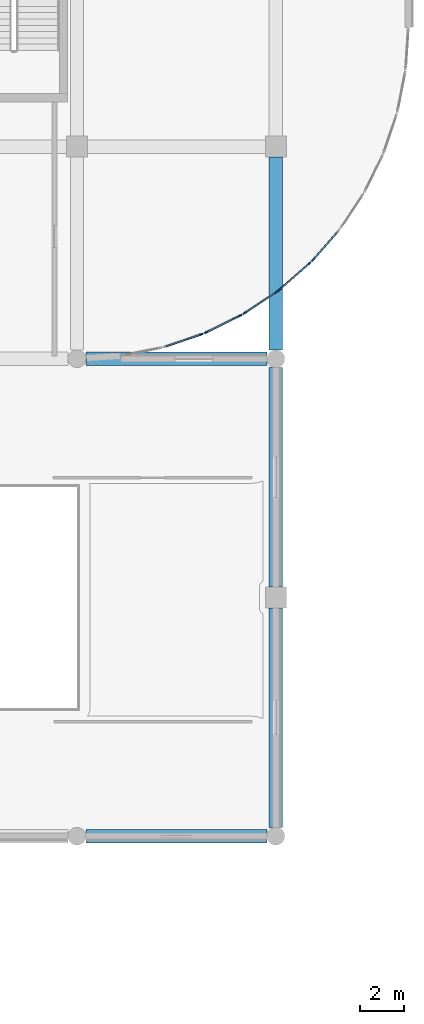
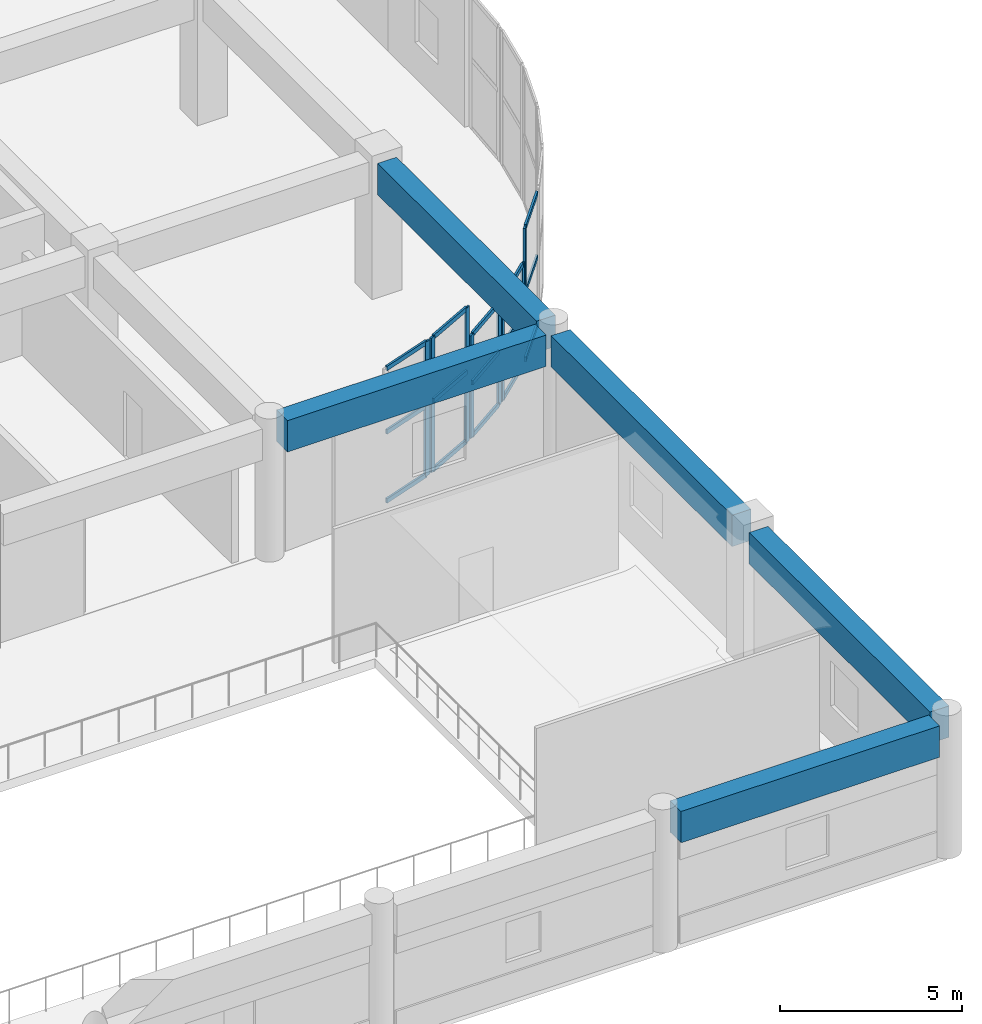
# One storey, part 37 of 86: 23 members, 5 beams, 5 elements without a shape of their own.
"""IFC4 building model written with IfcOpenShell, lengths in metres."""

from ifc_helpers import new_model, si_unit, direction, frame, origin, origin_2d, place, context, subcontext, project, spatial, rectangle, extrude, material, layer, layer_set, material_profile, profile_set, type_object, element, aggregate, save


model = new_model("IFC4")

# Units and contexts
model_context = context("Model", 3, precision=1e-05, world=origin(), true_north=direction((0.0, 1.0)))
body_context = subcontext(model_context, "Body", "Model", "MODEL_VIEW")
ifc_project = project(units=[si_unit("LENGTHUNIT", "METRE"), si_unit("AREAUNIT", "SQUARE_METRE"), si_unit("VOLUMEUNIT", "CUBIC_METRE"), si_unit("PLANEANGLEUNIT", "RADIAN"), si_unit("MASSUNIT", "GRAM", prefix="KILO")], contexts=[model_context])

# Site, building, storey
site_placement = place(None, origin())
site = spatial("IfcSite", under=ifc_project, at=site_placement, CompositionType="ELEMENT")
building_placement = place(site_placement, origin())
building = spatial("IfcBuilding", under=site, at=building_placement, Name="Cendralis Terraced Arcade", CompositionType="ELEMENT")
storey_placement = place(building_placement, frame((0.0, 0.0, 5.39990234375)))
storey = spatial("IfcBuildingStorey", under=building, at=storey_placement, Name="L01", CompositionType="ELEMENT", Elevation=5.39990234375)

# Beams
ifc_material_1 = material(Name="Concrete f'c 35 MPa", Category="concrete")
ifc_material_profile_1 = material_profile(ifc_material_1, rectangle(XDim=0.60009765625, YDim=1.050048828125, at=origin_2d()), Name="RC-BM-600x1050", Category="LoadBearing")
ifc_profile_set_1 = profile_set([ifc_material_profile_1], Name="Concrete f'c 35 MPa")
beam_type = type_object("IfcBeamType", Name="BM-600x1050", PredefinedType="JOIST", material=ifc_profile_set_1)
for number, where, z_axis, x_axis, name in (
    (1, (157.60009765625, 38.39990234375, 3.97998046875), (1.0, 0.0, 0.0), (0.0, 1.0, 0.0), "Reinforced Concrete Frame Beam BM-X-L02-E-18_19"),
    (2, (157.60009765625, 60.0, 3.97998046875), (1.0, 0.0, 0.0), (0.0, 1.0, 0.0), "Reinforced Concrete Frame Beam BM-X-L02-G-18_19"),
):
    element("IfcBeam", number, at=place(storey_placement, frame(where, z_axis=z_axis, x_axis=x_axis)), inside=storey, type_object=beam_type, Name=name, PredefinedType="JOIST", context=body_context, shape_type="SweptSolid", body=[
        extrude(rectangle(XDim=0.60009765625, YDim=1.050048828125, at=origin_2d()), origin(), (0.0, 0.0, 1.0), 8.199951171875),
    ])
for number, where, z_axis, x_axis, name in (
    (3, (166.199951171875, 38.800048828125, 3.97998046875), (0.0, 1.0, 0.0), (-1.0, 0.0, 0.0), "Reinforced Concrete Frame Beam BM-Y-L02-19-E_F"),
    (4, (166.199951171875, 49.675048828125, 3.97998046875), (0.0, 1.0, 0.0), (-1.0, 0.0, 0.0), "Reinforced Concrete Frame Beam BM-Y-L02-19-F_G"),
):
    element("IfcBeam", number, at=place(storey_placement, frame(where, z_axis=z_axis, x_axis=x_axis)), inside=storey, type_object=beam_type, Name=name, PredefinedType="JOIST", context=body_context, shape_type="SweptSolid", body=[
        extrude(rectangle(XDim=0.60009765625, YDim=1.050048828125, at=origin_2d()), origin(), (0.0, 0.0, 1.0), 9.925048828125),
    ])
beam_placement = place(storey_placement, frame((166.199951171875, 60.39990234375, 3.97998046875), z_axis=(0.0, 1.0, 0.0), x_axis=(-1.0, 0.0, 0.0)))
element("IfcBeam", 5, at=beam_placement, inside=storey, type_object=beam_type, Name="Reinforced Concrete Frame Beam BM-Y-L02-19-G_H", PredefinedType="JOIST", context=body_context, shape_type="SweptSolid", body=[
    extrude(rectangle(XDim=0.60009765625, YDim=1.050048828125, at=origin_2d()), origin(), (0.0, 0.0, 1.0), 8.72509765625),
])

# Curtain wall, member
ifc_material_2 = material(Name="Anodised aluminium EN AW-6063 T6", Category="aluminium")
ifc_layer = layer(ifc_material_2, 0.179931640625, Name="CW-UNIT-A")
ifc_layer_set = layer_set([ifc_layer], Name="Anodised aluminium EN AW-6063 T6")
curtain_wall_type = type_object("IfcCurtainWallType", Name="CW-UNIT-A", PredefinedType="USERDEFINED", material=ifc_layer_set)
curtain_wall_1_placement = place(storey_placement, origin())
curtain_wall_1 = element("IfcCurtainWall", 6, at=curtain_wall_1_placement, inside=storey, type_object=curtain_wall_type, Name="Exterior Unitised Facade CW-L01-0071", ObjectType="UNITISED FACADE", PredefinedType="USERDEFINED")
ifc_material_profile_2 = material_profile(ifc_material_2, rectangle(XDim=0.06494140625, YDim=0.179931640625, at=origin_2d()), Name="ALU-MUL-65x180")
ifc_profile_set_2 = profile_set([ifc_material_profile_2], Name="Anodised aluminium EN AW-6063 T6")
member_type_1 = type_object("IfcMemberType", Name="CW-UNIT-A-MUL", PredefinedType="MULLION", material=ifc_profile_set_2)
member_1_placement = place(storey_placement, frame((167.887451171875, 64.485595703125, 0.0), z_axis=(0.0, 0.0, 1.0), x_axis=(0.751804497477, -0.659386076266, 0.0)))
member_1 = element("IfcMember", 7, at=member_1_placement, type_object=member_type_1, Name="CW-U1 mullion 2", PredefinedType="MULLION", context=body_context, shape_type="SweptSolid", body=[
    extrude(rectangle(XDim=0.06494140625, YDim=0.179931640625, at=origin_2d()), origin(), (0.0, 0.0, 1.0), 4.505126953125),
])

# Curtain wall, members
curtain_wall_2_placement = place(storey_placement, origin())
curtain_wall_2 = element("IfcCurtainWall", 8, at=curtain_wall_2_placement, inside=storey, type_object=curtain_wall_type, Name="Exterior Unitised Facade CW-L01-0072", ObjectType="UNITISED FACADE", PredefinedType="USERDEFINED")
member_2_placement = place(storey_placement, frame((167.71435546875, 64.312744140625, 0.0), z_axis=(0.0, 0.0, 1.0), x_axis=(0.659386076266, -0.751804497477, 0.0)))
member_2 = element("IfcMember", 9, at=member_2_placement, type_object=member_type_1, Name="CW-U1 mullion 1", PredefinedType="MULLION", context=body_context, shape_type="SweptSolid", body=[
    extrude(rectangle(XDim=0.06494140625, YDim=0.179931640625, at=origin_2d()), origin(), (0.0, 0.0, 1.0), 3.445068359375),
])
member_3_placement = place(storey_placement, frame((166.423583984375, 63.180419921875, 0.0), z_axis=(0.0, 0.0, 1.0), x_axis=(0.659386076266, -0.751804497477, 0.0)))
member_3 = element("IfcMember", 10, at=member_3_placement, type_object=member_type_1, Name="CW-U1 mullion 2", PredefinedType="MULLION", context=body_context, shape_type="SweptSolid", body=[
    extrude(rectangle(XDim=0.06494140625, YDim=0.179931640625, at=origin_2d()), origin(), (0.0, 0.0, 1.0), 3.445068359375),
])

curtain_wall_3_placement = place(storey_placement, origin())
curtain_wall_3 = element("IfcCurtainWall", 11, at=curtain_wall_3_placement, inside=storey, type_object=curtain_wall_type, Name="Exterior Unitised Facade CW-L01-0073", ObjectType="UNITISED FACADE", PredefinedType="USERDEFINED")
member_4_placement = place(storey_placement, frame((166.2294921875, 63.03173828125, 0.0), z_axis=(0.0, 0.0, 1.0), x_axis=(0.555567476528, -0.831471454125, 0.0)))
member_4 = element("IfcMember", 12, at=member_4_placement, type_object=member_type_1, Name="CW-U1 mullion 1", PredefinedType="MULLION", context=body_context, shape_type="SweptSolid", body=[
    extrude(rectangle(XDim=0.06494140625, YDim=0.179931640625, at=origin_2d()), origin(), (0.0, 0.0, 1.0), 3.445068359375),
])
member_5_placement = place(storey_placement, frame((164.8017578125, 62.07763671875, 0.0), z_axis=(0.0, 0.0, 1.0), x_axis=(0.555567476528, -0.831471454125, 0.0)))
member_5 = element("IfcMember", 13, at=member_5_placement, type_object=member_type_1, Name="CW-U1 mullion 2", PredefinedType="MULLION", context=body_context, shape_type="SweptSolid", body=[
    extrude(rectangle(XDim=0.06494140625, YDim=0.179931640625, at=origin_2d()), origin(), (0.0, 0.0, 1.0), 3.445068359375),
])

curtain_wall_4_placement = place(storey_placement, origin())
curtain_wall_4 = element("IfcCurtainWall", 14, at=curtain_wall_4_placement, inside=storey, type_object=curtain_wall_type, Name="Exterior Unitised Facade CW-L01-0074", ObjectType="UNITISED FACADE", PredefinedType="USERDEFINED")
member_6_placement = place(storey_placement, frame((164.590087890625, 61.955322265625, 0.0), z_axis=(0.0, 0.0, 1.0), x_axis=(0.442291247495, -0.896871480419, 0.0)))
member_6 = element("IfcMember", 15, at=member_6_placement, type_object=member_type_1, Name="CW-U1 mullion 1", PredefinedType="MULLION", context=body_context, shape_type="SweptSolid", body=[
    extrude(rectangle(XDim=0.06494140625, YDim=0.179931640625, at=origin_2d()), origin(), (0.0, 0.0, 1.0), 4.505126953125),
])
member_7_placement = place(storey_placement, frame((163.050048828125, 61.196044921875, 0.0), z_axis=(0.0, 0.0, 1.0), x_axis=(0.442291247495, -0.896871480419, 0.0)))
member_7 = element("IfcMember", 16, at=member_7_placement, type_object=member_type_1, Name="CW-U1 mullion 2", PredefinedType="MULLION", context=body_context, shape_type="SweptSolid", body=[
    extrude(rectangle(XDim=0.06494140625, YDim=0.179931640625, at=origin_2d()), origin(), (0.0, 0.0, 1.0), 4.505126953125),
])

# Curtain wall, member
curtain_wall_5_placement = place(storey_placement, origin())
curtain_wall_5 = element("IfcCurtainWall", 17, at=curtain_wall_5_placement, inside=storey, type_object=curtain_wall_type, Name="Exterior Unitised Facade CW-L01-0075", ObjectType="UNITISED FACADE", PredefinedType="USERDEFINED")
member_8_placement = place(storey_placement, frame((162.82421875, 61.1025390625, 0.0), z_axis=(0.0, 0.0, 1.0), x_axis=(0.321458077458, -0.946923811316, 0.0)))
member_8 = element("IfcMember", 18, at=member_8_placement, type_object=member_type_1, Name="CW-U1 mullion 1", PredefinedType="MULLION", context=body_context, shape_type="SweptSolid", body=[
    extrude(rectangle(XDim=0.06494140625, YDim=0.179931640625, at=origin_2d()), origin(), (0.0, 0.0, 1.0), 4.505126953125),
])

# Member
ifc_material_profile_3 = material_profile(ifc_material_2, rectangle(XDim=0.06494140625, YDim=0.14990234375, at=origin_2d()), Name="ALU-TRN-65x150")
ifc_profile_set_3 = profile_set([ifc_material_profile_3], Name="Anodised aluminium EN AW-6063 T6")
member_type_2 = type_object("IfcMemberType", Name="CW-UNIT-A-TRN", PredefinedType="USERDEFINED", material=ifc_profile_set_3)
member_9_placement = place(storey_placement, frame((168.998046875, 65.751953125, 0.03271484375), z_axis=(-0.659414374006, -0.751779677402, 0.0), x_axis=(0.751779677402, -0.659414374006, 0.0)))
member_9 = element("IfcMember", 19, at=member_9_placement, type_object=member_type_2, Name="CW-U1 transom 1.1", ObjectType="TRANSOM", PredefinedType="USERDEFINED", context=body_context, shape_type="SweptSolid", body=[
    extrude(rectangle(XDim=0.06494140625, YDim=0.14990234375, at=origin_2d()), origin(), (0.0, 0.0, 1.0), 1.652099609375),
])

member_10_placement = place(storey_placement, frame((168.998046875, 65.751953125, 2.3427734375), z_axis=(-0.659414374006, -0.751779677402, 0.0), x_axis=(0.751779677402, -0.659414374006, 0.0)))
member_10 = element("IfcMember", 20, at=member_10_placement, type_object=member_type_2, Name="CW-U1 transom 1.2", ObjectType="TRANSOM", PredefinedType="USERDEFINED", context=body_context, shape_type="SweptSolid", body=[
    extrude(rectangle(XDim=0.06494140625, YDim=0.14990234375, at=origin_2d()), origin(), (0.0, 0.0, 1.0), 1.652099609375),
])

member_11_placement = place(storey_placement, frame((168.998046875, 65.751953125, 4.47265625), z_axis=(-0.659414374006, -0.751779677402, 0.0), x_axis=(0.751779677402, -0.659414374006, 0.0)))
member_11 = element("IfcMember", 21, at=member_11_placement, type_object=member_type_2, Name="CW-U1 transom 1.3", ObjectType="TRANSOM", PredefinedType="USERDEFINED", context=body_context, shape_type="SweptSolid", body=[
    extrude(rectangle(XDim=0.06494140625, YDim=0.14990234375, at=origin_2d()), origin(), (0.0, 0.0, 1.0), 1.652099609375),
])

aggregate(curtain_wall_1, [member_1, member_9, member_10, member_11])

member_12_placement = place(storey_placement, frame((167.68994140625, 64.291259765625, 0.03271484375), z_axis=(-0.751779677402, -0.659414374006, 0.0), x_axis=(0.659414374006, -0.751779677402, 0.0)))
member_12 = element("IfcMember", 22, at=member_12_placement, type_object=member_type_2, Name="CW-U1 transom 1.1", ObjectType="TRANSOM", PredefinedType="USERDEFINED", context=body_context, shape_type="SweptSolid", body=[
    extrude(rectangle(XDim=0.06494140625, YDim=0.14990234375, at=origin_2d()), origin(), (0.0, 0.0, 1.0), 1.652099609375),
])

member_13_placement = place(storey_placement, frame((167.68994140625, 64.291259765625, 1.79150390625), z_axis=(-0.751779677402, -0.659414374006, 0.0), x_axis=(0.659414374006, -0.751779677402, 0.0)))
member_13 = element("IfcMember", 23, at=member_13_placement, type_object=member_type_2, Name="CW-U1 transom 1.2", ObjectType="TRANSOM", PredefinedType="USERDEFINED", context=body_context, shape_type="SweptSolid", body=[
    extrude(rectangle(XDim=0.06494140625, YDim=0.14990234375, at=origin_2d()), origin(), (0.0, 0.0, 1.0), 1.652099609375),
])

member_14_placement = place(storey_placement, frame((167.68994140625, 64.291259765625, 3.41259765625), z_axis=(-0.751779677402, -0.659414374006, 0.0), x_axis=(0.659414374006, -0.751779677402, 0.0)))
member_14 = element("IfcMember", 24, at=member_14_placement, type_object=member_type_2, Name="CW-U1 transom 1.3", ObjectType="TRANSOM", PredefinedType="USERDEFINED", context=body_context, shape_type="SweptSolid", body=[
    extrude(rectangle(XDim=0.06494140625, YDim=0.14990234375, at=origin_2d()), origin(), (0.0, 0.0, 1.0), 1.652099609375),
])

aggregate(curtain_wall_2, [member_2, member_3, member_12, member_13, member_14])

member_15_placement = place(storey_placement, frame((166.20263671875, 63.013671875, 0.03271484375), z_axis=(-0.831458772582, -0.555586455466, 0.0), x_axis=(0.555586455466, -0.831458772582, 0.0)))
member_15 = element("IfcMember", 25, at=member_15_placement, type_object=member_type_2, Name="CW-U1 transom 1.1", ObjectType="TRANSOM", PredefinedType="USERDEFINED", context=body_context, shape_type="SweptSolid", body=[
    extrude(rectangle(XDim=0.06494140625, YDim=0.14990234375, at=origin_2d()), origin(), (0.0, 0.0, 1.0), 1.65234375),
])

member_16_placement = place(storey_placement, frame((166.20263671875, 63.013671875, 1.79150390625), z_axis=(-0.831458772582, -0.555586455466, 0.0), x_axis=(0.555586455466, -0.831458772582, 0.0)))
member_16 = element("IfcMember", 26, at=member_16_placement, type_object=member_type_2, Name="CW-U1 transom 1.2", ObjectType="TRANSOM", PredefinedType="USERDEFINED", context=body_context, shape_type="SweptSolid", body=[
    extrude(rectangle(XDim=0.06494140625, YDim=0.14990234375, at=origin_2d()), origin(), (0.0, 0.0, 1.0), 1.65234375),
])

member_17_placement = place(storey_placement, frame((166.20263671875, 63.013671875, 3.41259765625), z_axis=(-0.831458772582, -0.555586455466, 0.0), x_axis=(0.555586455466, -0.831458772582, 0.0)))
member_17 = element("IfcMember", 27, at=member_17_placement, type_object=member_type_2, Name="CW-U1 transom 1.3", ObjectType="TRANSOM", PredefinedType="USERDEFINED", context=body_context, shape_type="SweptSolid", body=[
    extrude(rectangle(XDim=0.06494140625, YDim=0.14990234375, at=origin_2d()), origin(), (0.0, 0.0, 1.0), 1.65234375),
])

aggregate(curtain_wall_3, [member_4, member_5, member_15, member_16, member_17])

member_18_placement = place(storey_placement, frame((164.56103515625, 61.941162109375, 0.03271484375), z_axis=(-0.896866855431, -0.442300625853, 0.0), x_axis=(0.442300625853, -0.896866855431, 0.0)))
member_18 = element("IfcMember", 28, at=member_18_placement, type_object=member_type_2, Name="CW-U1 transom 1.1", ObjectType="TRANSOM", PredefinedType="USERDEFINED", context=body_context, shape_type="SweptSolid", body=[
    extrude(rectangle(XDim=0.06494140625, YDim=0.14990234375, at=origin_2d()), origin(), (0.0, 0.0, 1.0), 1.652099609375),
])

member_19_placement = place(storey_placement, frame((164.56103515625, 61.941162109375, 2.3427734375), z_axis=(-0.896866855431, -0.442300625853, 0.0), x_axis=(0.442300625853, -0.896866855431, 0.0)))
member_19 = element("IfcMember", 29, at=member_19_placement, type_object=member_type_2, Name="CW-U1 transom 1.2", ObjectType="TRANSOM", PredefinedType="USERDEFINED", context=body_context, shape_type="SweptSolid", body=[
    extrude(rectangle(XDim=0.06494140625, YDim=0.14990234375, at=origin_2d()), origin(), (0.0, 0.0, 1.0), 1.652099609375),
])

member_20_placement = place(storey_placement, frame((164.56103515625, 61.941162109375, 4.47265625), z_axis=(-0.896866855431, -0.442300625853, 0.0), x_axis=(0.442300625853, -0.896866855431, 0.0)))
member_20 = element("IfcMember", 30, at=member_20_placement, type_object=member_type_2, Name="CW-U1 transom 1.3", ObjectType="TRANSOM", PredefinedType="USERDEFINED", context=body_context, shape_type="SweptSolid", body=[
    extrude(rectangle(XDim=0.06494140625, YDim=0.14990234375, at=origin_2d()), origin(), (0.0, 0.0, 1.0), 1.652099609375),
])

aggregate(curtain_wall_4, [member_6, member_7, member_18, member_19, member_20])

member_21_placement = place(storey_placement, frame((162.79345703125, 61.092041015625, 0.03271484375), z_axis=(-0.94689517137, -0.321542430228, 0.0), x_axis=(0.321542430228, -0.94689517137, 0.0)))
member_21 = element("IfcMember", 31, at=member_21_placement, type_object=member_type_2, Name="CW-U1 transom 1.1", ObjectType="TRANSOM", PredefinedType="USERDEFINED", context=body_context, shape_type="SweptSolid", body=[
    extrude(rectangle(XDim=0.06494140625, YDim=0.14990234375, at=origin_2d()), origin(), (0.0, 0.0, 1.0), 1.652099609375),
])

member_22_placement = place(storey_placement, frame((162.79345703125, 61.092041015625, 2.3427734375), z_axis=(-0.94689517137, -0.321542430228, 0.0), x_axis=(0.321542430228, -0.94689517137, 0.0)))
member_22 = element("IfcMember", 32, at=member_22_placement, type_object=member_type_2, Name="CW-U1 transom 1.2", ObjectType="TRANSOM", PredefinedType="USERDEFINED", context=body_context, shape_type="SweptSolid", body=[
    extrude(rectangle(XDim=0.06494140625, YDim=0.14990234375, at=origin_2d()), origin(), (0.0, 0.0, 1.0), 1.652099609375),
])

member_23_placement = place(storey_placement, frame((162.79345703125, 61.092041015625, 4.47265625), z_axis=(-0.94689517137, -0.321542430228, 0.0), x_axis=(0.321542430228, -0.94689517137, 0.0)))
member_23 = element("IfcMember", 33, at=member_23_placement, type_object=member_type_2, Name="CW-U1 transom 1.3", ObjectType="TRANSOM", PredefinedType="USERDEFINED", context=body_context, shape_type="SweptSolid", body=[
    extrude(rectangle(XDim=0.06494140625, YDim=0.14990234375, at=origin_2d()), origin(), (0.0, 0.0, 1.0), 1.652099609375),
])

aggregate(curtain_wall_5, [member_8, member_21, member_22, member_23])

save(model, "model.ifc")
